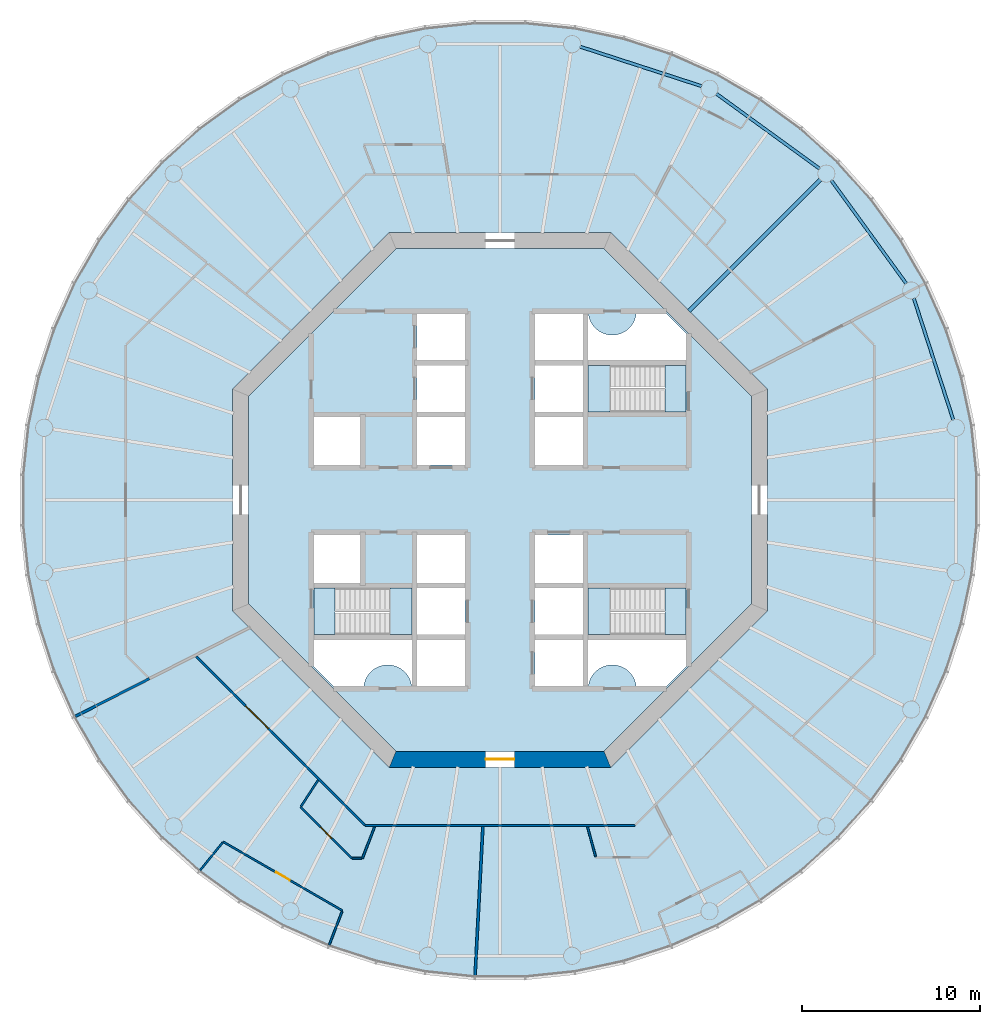
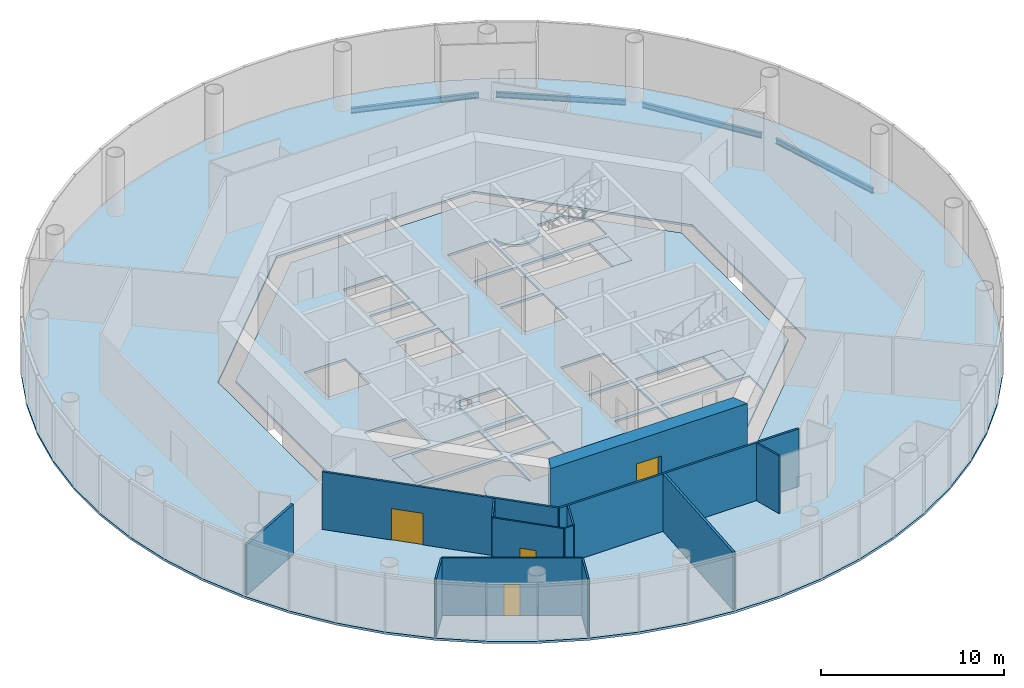
# One storey, part 2 of 12: 13 walls, 8 slabs, 5 beams, 4 doors, 4 openings, 3 elements without a shape of their own.
"""IFC4 building model written with IfcOpenShell, lengths in metres."""

from ifc_helpers import new_model, si_unit, direction, frame, frame_2d, origin, origin_2d, place, context, subcontext, project, spatial, polyline, rectangle, i_section, outline, extrude, material, layer, layer_set, material_profile, profile_set, type_object, element, fill, aggregate, save


model = new_model("IFC4")

# Units and contexts
model_context = context("Model", 3, precision=1e-05, world=origin(), true_north=direction((0.0, 1.0)))
body_context = subcontext(model_context, "Body", "Model", "MODEL_VIEW")
ifc_project = project(units=[si_unit("LENGTHUNIT", "METRE"), si_unit("AREAUNIT", "SQUARE_METRE"), si_unit("VOLUMEUNIT", "CUBIC_METRE"), si_unit("PLANEANGLEUNIT", "RADIAN"), si_unit("MASSUNIT", "GRAM", prefix="KILO")], contexts=[model_context])

# Site, building, storey
site_placement = place(None, origin())
site = spatial("IfcSite", under=ifc_project, at=site_placement, CompositionType="ELEMENT")
building_placement = place(site_placement, origin())
building = spatial("IfcBuilding", under=site, at=building_placement, Name="Entoto Ring Tower", CompositionType="ELEMENT")
storey_placement = place(building_placement, frame((0.0, 0.0, 254.0)))
storey = spatial("IfcBuildingStorey", under=building, at=storey_placement, Name="L58", CompositionType="ELEMENT", Elevation=254.0)

# Beams
ifc_material_1 = material(Name="Steel S355", Category="steel")
ifc_material_profile_1 = material_profile(ifc_material_1, i_section(OverallWidth=0.169921875, OverallDepth=0.360107421875, WebThickness=0.008056640625, FlangeThickness=0.0126953125, FilletRadius=0.01806640625, at=origin_2d()), Name="IPE 360")
ifc_profile_set_1 = profile_set([ifc_material_profile_1], Name="Steel S355")
beam_type_1 = type_object("IfcBeamType", Name="Edge beam IPE 360", PredefinedType="SPANDREL", material=ifc_profile_set_1)
beam_1_placement = place(storey_placement, frame((115.43505859375, 84.501220703125, -0.330078125), z_axis=(-0.309015118354, 0.951057125849, 0.0), x_axis=(-0.951057125849, -0.309015118354, 0.0)))
element("IfcBeam", 1, at=beam_1_placement, inside=storey, type_object=beam_type_1, Name="Edge beam L58 01", PredefinedType="SPANDREL", context=body_context, shape_type="SweptSolid", body=[
    extrude(i_section(OverallWidth=0.169921875, OverallDepth=0.360107421875, WebThickness=0.008056640625, FlangeThickness=0.0126953125, FilletRadius=0.01806640625, at=origin_2d()), origin(), (0.0, 0.0, 1.0), 7.157958984375),
])
for number, where, z_axis, x_axis, name in (
    (2, (112.79931640625, 92.140625, -0.330078125), (-0.587794432314, 0.809010324619, 0.0), (-0.809010324619, -0.587794432314, 0.0), "Edge beam L58 02"),
    (3, (107.931640625, 98.591796875, -0.330078125), (-0.809010324619, 0.587794432314, 0.0), (-0.587794432314, -0.809010324619, 0.0), "Edge beam L58 03"),
):
    element("IfcBeam", number, at=place(storey_placement, frame(where, z_axis=z_axis, x_axis=x_axis)), inside=storey, type_object=beam_type_1, Name=name, PredefinedType="SPANDREL", context=body_context, shape_type="SweptSolid", body=[
        extrude(i_section(OverallWidth=0.169921875, OverallDepth=0.360107421875, WebThickness=0.008056640625, FlangeThickness=0.0126953125, FilletRadius=0.01806640625, at=origin_2d()), origin(), (0.0, 0.0, 1.0), 7.158203125),
    ])
beam_2_placement = place(storey_placement, frame((101.308837890625, 103.22314453125, -0.330078125), z_axis=(-0.951057125849, 0.309015118354, 0.0), x_axis=(-0.309015118354, -0.951057125849, 0.0)))
element("IfcBeam", 4, at=beam_2_placement, inside=storey, type_object=beam_type_1, Name="Edge beam L58 04", PredefinedType="SPANDREL", context=body_context, shape_type="SweptSolid", body=[
    extrude(i_section(OverallWidth=0.169921875, OverallDepth=0.360107421875, WebThickness=0.008056640625, FlangeThickness=0.0126953125, FilletRadius=0.01806640625, at=origin_2d()), origin(), (0.0, 0.0, 1.0), 7.157958984375),
])
ifc_material_2 = material(Name="Steel S355", Category="steel")
ifc_material_profile_2 = material_profile(ifc_material_2, i_section(OverallWidth=0.199951171875, OverallDepth=0.5, WebThickness=0.01025390625, FlangeThickness=0.01611328125, FilletRadius=0.02099609375, at=origin_2d()), Name="IPE 500")
ifc_profile_set_2 = profile_set([ifc_material_profile_2], Name="Steel S355")
beam_type_2 = type_object("IfcBeamType", Name="Primary floor beam IPE 500", PredefinedType="BEAM", material=ifc_profile_set_2)
beam_3_placement = place(storey_placement, frame((100.592529296875, 90.592529296875, -0.39990234375), z_axis=(0.707106781187, 0.707106781187, 0.0), x_axis=(-0.707106781187, 0.707106781187, 0.0)))
element("IfcBeam", 5, at=beam_3_placement, inside=storey, type_object=beam_type_2, Name="Primary L58 R03", PredefinedType="BEAM", context=body_context, shape_type="SweptSolid", body=[
    extrude(i_section(OverallWidth=0.199951171875, OverallDepth=0.5, WebThickness=0.01025390625, FlangeThickness=0.01611328125, FilletRadius=0.02099609375, at=origin_2d()), origin(), (0.0, 0.0, 1.0), 10.4501953125),
])

# Slabs
ifc_material_3 = material(Name="Concrete C30/37", Category="concrete")
ifc_layer_1 = layer(ifc_material_3, 0.14990234375)
ifc_layer_set_1 = layer_set([ifc_layer_1], Name="Concrete C30/37")
slab_type_1 = type_object("IfcSlabType", Name="Composite floor slab 150 mm", PredefinedType="FLOOR", material=ifc_layer_set_1)
slab_1_placement = place(storey_placement, frame((0.0, 0.0, -0.14990234375)))
element("IfcSlab", 6, at=slab_1_placement, inside=storey, type_object=slab_type_1, Name="Floor slab L58", PredefinedType="FLOOR", context=body_context, shape_type="SweptSolid", body=[
    extrude(outline(polyline([(116.56884765625, 84.2080078125), (115.9833984375, 86.962158203125), (115.11328125, 89.64013671875), (113.968017578125, 92.21240234375), (112.560302734375, 94.65087890625), (110.9052734375, 96.9287109375), (109.021240234375, 99.021240234375), (106.9287109375, 100.9052734375), (104.65087890625, 102.560302734375), (102.21240234375, 103.968017578125), (99.64013671875, 105.11328125), (96.962158203125, 105.9833984375), (94.2080078125, 106.56884765625), (91.407958984375, 106.863037109375), (88.592041015625, 106.863037109375), (85.7919921875, 106.56884765625), (83.037841796875, 105.9833984375), (80.35986328125, 105.11328125), (77.78759765625, 103.968017578125), (75.34912109375, 102.560302734375), (73.0712890625, 100.9052734375), (70.978759765625, 99.021240234375), (69.0947265625, 96.9287109375), (67.439697265625, 94.65087890625), (66.031982421875, 92.21240234375), (64.88671875, 89.64013671875), (64.0166015625, 86.962158203125), (63.43115234375, 84.2080078125), (63.136962890625, 81.407958984375), (63.136962890625, 78.592041015625), (63.43115234375, 75.7919921875), (64.0166015625, 73.037841796875), (64.88671875, 70.35986328125), (66.031982421875, 67.78759765625), (67.439697265625, 65.34912109375), (69.0947265625, 63.0712890625), (70.978759765625, 60.978759765625), (73.0712890625, 59.0947265625), (75.34912109375, 57.439697265625), (77.78759765625, 56.031982421875), (80.35986328125, 54.88671875), (83.037841796875, 54.0166015625), (85.7919921875, 53.43115234375), (88.592041015625, 53.136962890625), (91.407958984375, 53.136962890625), (94.2080078125, 53.43115234375), (96.962158203125, 54.0166015625), (99.64013671875, 54.88671875), (102.21240234375, 56.031982421875), (104.65087890625, 57.439697265625), (106.9287109375, 59.0947265625), (109.021240234375, 60.978759765625), (110.9052734375, 63.0712890625), (112.560302734375, 65.34912109375), (113.968017578125, 67.78759765625), (115.11328125, 70.35986328125), (115.9833984375, 73.037841796875), (116.56884765625, 75.7919921875), (116.863037109375, 78.592041015625), (116.863037109375, 81.407958984375), (116.56884765625, 84.2080078125)]), holes=[polyline([(105.0, 73.786865234375), (105.0, 86.213134765625), (96.213134765625, 95.0), (83.786865234375, 95.0), (75.0, 86.213134765625), (75.0, 73.786865234375), (83.786865234375, 65.0), (96.213134765625, 65.0), (105.0, 73.786865234375)])]), origin(), (0.0, 0.0, 1.0), 0.14990234375),
])
ifc_material_4 = material(Name="Concrete C40/50", Category="concrete")
ifc_layer_2 = layer(ifc_material_4, 0.14990234375)
ifc_layer_set_2 = layer_set([ifc_layer_2], Name="Concrete C40/50")
slab_type_2 = type_object("IfcSlabType", Name="Core floor slab 150 mm reinforced concrete C40/50", PredefinedType="FLOOR", material=ifc_layer_set_2)
slab_2_placement = place(storey_placement, frame((0.0, 0.0, -0.14990234375)))
element("IfcSlab", 7, at=slab_2_placement, inside=storey, type_object=slab_type_2, Name="Core floor L58", PredefinedType="FLOOR", context=body_context, shape_type="SweptSolid", body=[
    extrude(outline(polyline([(104.10009765625, 74.15966796875), (104.10009765625, 85.84033203125), (95.84033203125, 94.10009765625), (84.15966796875, 94.10009765625), (75.89990234375, 85.84033203125), (75.89990234375, 74.15966796875), (84.15966796875, 65.89990234375), (95.84033203125, 65.89990234375), (104.10009765625, 74.15966796875)]), holes=[polyline([(100.449951171875, 84.949951171875), (100.449951171875, 87.550048828125), (94.949951171875, 87.550048828125), (94.949951171875, 84.949951171875), (100.449951171875, 84.949951171875)]), polyline([(85.050048828125, 72.449951171875), (85.050048828125, 75.050048828125), (79.550048828125, 75.050048828125), (79.550048828125, 72.449951171875), (85.050048828125, 72.449951171875)]), polyline([(100.449951171875, 72.449951171875), (100.449951171875, 75.050048828125), (94.949951171875, 75.050048828125), (94.949951171875, 72.449951171875), (100.449951171875, 72.449951171875)]), polyline([(91.949951171875, 84.949951171875), (94.64990234375, 84.949951171875), (94.64990234375, 87.550048828125), (91.949951171875, 87.550048828125), (91.949951171875, 84.949951171875)]), polyline([(91.949951171875, 72.449951171875), (94.64990234375, 72.449951171875), (94.64990234375, 75.050048828125), (91.949951171875, 75.050048828125), (91.949951171875, 72.449951171875)]), polyline([(91.949951171875, 69.550048828125), (94.64990234375, 69.550048828125), (94.64990234375, 72.14990234375), (91.949951171875, 72.14990234375), (91.949951171875, 69.550048828125)]), polyline([(85.35009765625, 72.449951171875), (88.050048828125, 72.449951171875), (88.050048828125, 75.050048828125), (85.35009765625, 75.050048828125), (85.35009765625, 72.449951171875)]), polyline([(85.35009765625, 81.949951171875), (88.050048828125, 81.949951171875), (88.050048828125, 84.64990234375), (85.35009765625, 84.64990234375), (85.35009765625, 81.949951171875)]), polyline([(91.949951171875, 75.35009765625), (94.64990234375, 75.35009765625), (94.64990234375, 78.050048828125), (91.949951171875, 78.050048828125), (91.949951171875, 75.35009765625)]), polyline([(79.550048828125, 81.949951171875), (82.14990234375, 81.949951171875), (82.14990234375, 84.64990234375), (79.550048828125, 84.64990234375), (79.550048828125, 81.949951171875)]), polyline([(79.550048828125, 75.35009765625), (82.14990234375, 75.35009765625), (82.14990234375, 78.050048828125), (79.550048828125, 78.050048828125), (79.550048828125, 75.35009765625)]), polyline([(91.949951171875, 87.85009765625), (94.64990234375, 87.85009765625), (94.64990234375, 90.449951171875), (91.949951171875, 90.449951171875), (91.949951171875, 87.85009765625)]), polyline([(85.35009765625, 69.550048828125), (88.050048828125, 69.550048828125), (88.050048828125, 72.14990234375), (85.35009765625, 72.14990234375), (85.35009765625, 69.550048828125)]), polyline([(91.949951171875, 81.949951171875), (94.64990234375, 81.949951171875), (94.64990234375, 84.64990234375), (91.949951171875, 84.64990234375), (91.949951171875, 81.949951171875)]), polyline([(85.35009765625, 75.35009765625), (88.050048828125, 75.35009765625), (88.050048828125, 78.050048828125), (85.35009765625, 78.050048828125), (85.35009765625, 75.35009765625)]), polyline([(85.35009765625, 84.949951171875), (88.050048828125, 84.949951171875), (88.050048828125, 87.550048828125), (85.35009765625, 87.550048828125), (85.35009765625, 84.949951171875)]), polyline([(85.35009765625, 87.85009765625), (88.050048828125, 87.85009765625), (88.050048828125, 90.449951171875), (85.35009765625, 90.449951171875), (85.35009765625, 87.85009765625)]), polyline([(94.89990234375, 90.5), (94.89990234375, 87.800048828125), (100.5, 87.800048828125), (100.5, 89.299072265625), (99.299072265625, 90.5), (97.64501953125, 90.5), (97.6435546875, 90.4677734375), (97.6240234375, 90.336669921875), (97.591796875, 90.2080078125), (97.547119140625, 90.08349609375), (97.490478515625, 89.963623046875), (97.422607421875, 89.85009765625), (97.343505859375, 89.74365234375), (97.254638671875, 89.6455078125), (97.156494140625, 89.556396484375), (97.050048828125, 89.4775390625), (96.936279296875, 89.409423828125), (96.816650390625, 89.352783203125), (96.69189453125, 89.30810546875), (96.5634765625, 89.27587890625), (96.432373046875, 89.256591796875), (96.300048828125, 89.25), (96.167724609375, 89.256591796875), (96.03662109375, 89.27587890625), (95.908203125, 89.30810546875), (95.783447265625, 89.352783203125), (95.66357421875, 89.409423828125), (95.550048828125, 89.4775390625), (95.443603515625, 89.556396484375), (95.345458984375, 89.6455078125), (95.25634765625, 89.74365234375), (95.177490234375, 89.85009765625), (95.109375, 89.963623046875), (95.052734375, 90.08349609375), (95.008056640625, 90.2080078125), (94.975830078125, 90.336669921875), (94.95654296875, 90.4677734375), (94.954833984375, 90.5), (94.89990234375, 90.5)]), polyline([(79.5, 70.700927734375), (80.700927734375, 69.5), (82.35498046875, 69.5), (82.3564453125, 69.5322265625), (82.3759765625, 69.663330078125), (82.408203125, 69.7919921875), (82.452880859375, 69.91650390625), (82.509521484375, 70.036376953125), (82.577392578125, 70.14990234375), (82.656494140625, 70.25634765625), (82.745361328125, 70.3544921875), (82.843505859375, 70.443603515625), (82.949951171875, 70.5224609375), (83.063720703125, 70.590576171875), (83.183349609375, 70.647216796875), (83.30810546875, 70.69189453125), (83.4365234375, 70.72412109375), (83.567626953125, 70.743408203125), (83.699951171875, 70.75), (83.832275390625, 70.743408203125), (83.96337890625, 70.72412109375), (84.091796875, 70.69189453125), (84.216552734375, 70.647216796875), (84.33642578125, 70.590576171875), (84.449951171875, 70.5224609375), (84.556396484375, 70.443603515625), (84.654541015625, 70.3544921875), (84.74365234375, 70.25634765625), (84.822509765625, 70.14990234375), (84.890625, 70.036376953125), (84.947265625, 69.91650390625), (84.991943359375, 69.7919921875), (85.024169921875, 69.663330078125), (85.04345703125, 69.5322265625), (85.045166015625, 69.5), (85.10009765625, 69.5), (85.10009765625, 72.199951171875), (79.5, 72.199951171875), (79.5, 70.700927734375)]), polyline([(97.64501953125, 69.5), (99.299072265625, 69.5), (100.5, 70.700927734375), (100.5, 72.199951171875), (94.89990234375, 72.199951171875), (94.89990234375, 69.5), (94.954833984375, 69.5), (94.95654296875, 69.5322265625), (94.975830078125, 69.663330078125), (95.008056640625, 69.7919921875), (95.052734375, 69.91650390625), (95.109375, 70.036376953125), (95.177490234375, 70.14990234375), (95.25634765625, 70.25634765625), (95.345458984375, 70.3544921875), (95.443603515625, 70.443603515625), (95.550048828125, 70.5224609375), (95.66357421875, 70.590576171875), (95.783447265625, 70.647216796875), (95.908203125, 70.69189453125), (96.03662109375, 70.72412109375), (96.167724609375, 70.743408203125), (96.300048828125, 70.75), (96.432373046875, 70.743408203125), (96.5634765625, 70.72412109375), (96.69189453125, 70.69189453125), (96.816650390625, 70.647216796875), (96.936279296875, 70.590576171875), (97.050048828125, 70.5224609375), (97.156494140625, 70.443603515625), (97.254638671875, 70.3544921875), (97.343505859375, 70.25634765625), (97.422607421875, 70.14990234375), (97.490478515625, 70.036376953125), (97.547119140625, 69.91650390625), (97.591796875, 69.7919921875), (97.6240234375, 69.663330078125), (97.6435546875, 69.5322265625), (97.64501953125, 69.5)])]), origin(), (0.0, 0.0, 1.0), 0.14990234375),
])

# Stair, slabs
ifc_material_5 = material(Name="Concrete C40/50", Category="concrete")
stair_type = type_object("IfcStairType", Name="Exit stair 1200 mm dog-leg reinforced concrete", PredefinedType="HALF_TURN_STAIR", material=ifc_material_5)
stair_1_placement = place(storey_placement, origin())
stair_1 = element("IfcStair", 8, at=stair_1_placement, inside=storey, type_object=stair_type, Name="Exit stair 1", PredefinedType="HALF_TURN_STAIR")
ifc_material_6 = material(Name="Concrete C40/50", Category="concrete")
ifc_layer_3 = layer(ifc_material_6, 0.199951171875)
ifc_layer_set_3 = layer_set([ifc_layer_3], Name="Concrete C40/50")
slab_type_3 = type_object("IfcSlabType", Name="Stair landing 200 mm reinforced concrete", PredefinedType="LANDING", material=ifc_layer_set_3)
slab_3_placement = place(storey_placement, frame((0.0, 0.0, -0.199951171875)))
slab_3 = element("IfcSlab", 9, at=slab_3_placement, type_object=slab_type_3, Name="ST1 landing 1", PredefinedType="LANDING", context=body_context, shape_type="SweptSolid", body=[
    extrude(outline(polyline([(100.449951171875, 84.949951171875), (100.449951171875, 87.550048828125), (99.25, 87.550048828125), (99.25, 84.949951171875), (100.449951171875, 84.949951171875)])), origin(), (0.0, 0.0, 1.0), 0.199951171875),
])
slab_4_placement = place(storey_placement, frame((0.0, 0.0, 1.800048828125)))
slab_4 = element("IfcSlab", 10, at=slab_4_placement, type_object=slab_type_3, Name="ST1 landing 2", PredefinedType="LANDING", context=body_context, shape_type="SweptSolid", body=[
    extrude(outline(polyline([(94.949951171875, 84.949951171875), (96.169921875, 84.949951171875), (96.169921875, 87.550048828125), (94.949951171875, 87.550048828125), (94.949951171875, 84.949951171875)])), origin(), (0.0, 0.0, 1.0), 0.199951171875),
])
aggregate(stair_1, [slab_3, slab_4])

stair_2_placement = place(storey_placement, origin())
stair_2 = element("IfcStair", 11, at=stair_2_placement, inside=storey, type_object=stair_type, Name="Exit stair 2", PredefinedType="HALF_TURN_STAIR")
slab_5_placement = place(storey_placement, frame((0.0, 0.0, -0.199951171875)))
slab_5 = element("IfcSlab", 12, at=slab_5_placement, type_object=slab_type_3, Name="ST2 landing 1", PredefinedType="LANDING", context=body_context, shape_type="SweptSolid", body=[
    extrude(outline(polyline([(80.75, 72.449951171875), (80.75, 75.050048828125), (79.550048828125, 75.050048828125), (79.550048828125, 72.449951171875), (80.75, 72.449951171875)])), origin(), (0.0, 0.0, 1.0), 0.199951171875),
])
slab_6_placement = place(storey_placement, frame((0.0, 0.0, 1.800048828125)))
slab_6 = element("IfcSlab", 13, at=slab_6_placement, type_object=slab_type_3, Name="ST2 landing 2", PredefinedType="LANDING", context=body_context, shape_type="SweptSolid", body=[
    extrude(outline(polyline([(83.830078125, 72.449951171875), (85.050048828125, 72.449951171875), (85.050048828125, 75.050048828125), (83.830078125, 75.050048828125), (83.830078125, 72.449951171875)])), origin(), (0.0, 0.0, 1.0), 0.199951171875),
])
aggregate(stair_2, [slab_5, slab_6])

stair_3_placement = place(storey_placement, origin())
stair_3 = element("IfcStair", 14, at=stair_3_placement, inside=storey, type_object=stair_type, Name="Exit stair 3", PredefinedType="HALF_TURN_STAIR")
slab_7_placement = place(storey_placement, frame((0.0, 0.0, -0.199951171875)))
slab_7 = element("IfcSlab", 15, at=slab_7_placement, type_object=slab_type_3, Name="ST3 landing 1", PredefinedType="LANDING", context=body_context, shape_type="SweptSolid", body=[
    extrude(outline(polyline([(100.449951171875, 72.449951171875), (100.449951171875, 75.050048828125), (99.25, 75.050048828125), (99.25, 72.449951171875), (100.449951171875, 72.449951171875)])), origin(), (0.0, 0.0, 1.0), 0.199951171875),
])
slab_8_placement = place(storey_placement, frame((0.0, 0.0, 1.800048828125)))
slab_8 = element("IfcSlab", 16, at=slab_8_placement, type_object=slab_type_3, Name="ST3 landing 2", PredefinedType="LANDING", context=body_context, shape_type="SweptSolid", body=[
    extrude(outline(polyline([(94.949951171875, 72.449951171875), (96.169921875, 72.449951171875), (96.169921875, 75.050048828125), (94.949951171875, 75.050048828125), (94.949951171875, 72.449951171875)])), origin(), (0.0, 0.0, 1.0), 0.199951171875),
])
aggregate(stair_3, [slab_7, slab_8])

# Wall, opening, door
ifc_material_7 = material(Name="Concrete C50/60", Category="concrete")
ifc_layer_4 = layer(ifc_material_7, 0.89990234375)
ifc_layer_set_4 = layer_set([ifc_layer_4], Name="Concrete C50/60")
wall_type_1 = type_object("IfcWallType", Name="Core shear wall 900 mm reinforced concrete C50/60", PredefinedType="SHEAR", material=ifc_layer_set_4)
wall_1_placement = place(storey_placement, frame((83.97314453125, 65.449951171875, 0.0), z_axis=(0.0, 0.0, 1.0), x_axis=(1.0, 0.0, 0.0)))
wall_1 = element("IfcWall", 17, at=wall_1_placement, inside=storey, type_object=wall_type_1, Name="wall-L58-core-6", PredefinedType="SHEAR", context=body_context, shape_type="SweptSolid", body=[
    extrude(outline(polyline([(-0.186279296875, -0.449951171875), (12.239990234375, -0.449951171875), (11.867431640625, 0.449951171875), (0.186279296875, 0.449951171875), (-0.186279296875, -0.449951171875)])), origin(), (0.0, 0.0, 1.0), 4.0),
])
opening_1_placement = place(wall_1_placement, frame((5.226806640625, 0.0, 0.0)))
opening_1 = element("IfcOpeningElement", 18, at=opening_1_placement, cuts=wall_1, Name="Opening K-04", PredefinedType="OPENING", context=body_context, shape_type="SweptSolid", body=[
    extrude(rectangle(XDim=1.60009765625, YDim=2.39990234375, at=frame_2d((0.800048828125, 1.199951171875))), frame((0.0, 0.4599609375, 0.0), z_axis=(0.0, -1.0, 0.0), x_axis=(1.0, 0.0, 0.0)), (0.0, 0.0, 1.0), 0.919921875),
])
ifc_material_8 = material(Name="Steel door leaf, fire rated", Category="steel")
ifc_layer_5 = layer(ifc_material_8, 0.050048828125)
ifc_layer_set_5 = layer_set([ifc_layer_5], Name="Steel door leaf, fire rated")
door_type_1 = type_object("IfcDoorType", Name="Entrance door FD60 1600 x 2400 double leaf", OperationType="DOUBLE_DOOR_SINGLE_SWING", PredefinedType="DOOR", material=ifc_layer_set_5)
door_1_placement = place(opening_1_placement, origin())
door_1 = element("IfcDoor", 19, at=door_1_placement, inside=storey, type_object=door_type_1, Name="Entrance door K-04", OperationType="DOUBLE_DOOR_SINGLE_SWING", OverallHeight=2.39990234375, OverallWidth=1.60009765625, PredefinedType="DOOR", context=body_context, shape_type="SweptSolid", body=[
    extrude(rectangle(XDim=1.60009765625, YDim=2.39990234375, at=frame_2d((0.800048828125, 1.199951171875))), frame((0.0, 0.02490234375, 0.0), z_axis=(0.0, -1.0, 0.0), x_axis=(1.0, 0.0, 0.0)), (0.0, 0.0, 1.0), 0.050048828125),
])
fill(opening_1, door_1)

# Wall
ifc_material_9 = material(Name="Fire-resisting plasterboard on steel studs", Category="steel")
ifc_layer_6 = layer(ifc_material_9, 0.125)
ifc_layer_set_6 = layer_set([ifc_layer_6], Name="Fire-resisting plasterboard on steel studs")
wall_type_2 = type_object("IfcWallType", Name="Corridor wall 125 mm one-hour plasterboard on steel studs", PredefinedType="PARTITIONING", material=ifc_layer_set_6)
wall_2_placement = place(storey_placement, frame((82.435302734375, 61.737548828125, 0.0), z_axis=(0.0, 0.0, 1.0), x_axis=(1.0, 0.0, 0.0)))
element("IfcWall", 20, at=wall_2_placement, inside=storey, type_object=wall_type_2, Name="partition-L58-003", PredefinedType="PARTITIONING", context=body_context, shape_type="SweptSolid", body=[
    extrude(rectangle(XDim=15.12939453125, YDim=0.125, at=frame_2d((7.564697265625, 0.0))), origin(), (0.0, 0.0, 1.0), 3.85009765625),
])

# Wall, opening, door
wall_3_placement = place(storey_placement, frame((82.404296875, 61.7685546875, 0.0), z_axis=(0.0, 0.0, 1.0), x_axis=(-0.707097649982, 0.707115912273, 0.0)))
wall_3 = element("IfcWall", 21, at=wall_3_placement, inside=storey, type_object=wall_type_2, Name="partition-L58-005", PredefinedType="PARTITIONING", context=body_context, shape_type="SweptSolid", body=[
    extrude(rectangle(XDim=13.36865234375, YDim=0.125, at=frame_2d((6.684326171875, 0.0))), origin(), (0.0, 0.0, 1.0), 3.85009765625),
])
opening_2_placement = place(wall_3_placement, frame((7.646484375, 0.0, 0.0)))
opening_2 = element("IfcOpeningElement", 22, at=opening_2_placement, cuts=wall_3, Name="Opening A25-D08", PredefinedType="OPENING", context=body_context, shape_type="SweptSolid", body=[
    extrude(rectangle(XDim=1.800048828125, YDim=2.10009765625, at=frame_2d((0.89990234375, 1.050048828125))), frame((0.0, 0.072509765625, 0.0), z_axis=(0.0, -1.0, 0.0), x_axis=(1.0, 0.0, 0.0)), (0.0, 0.0, 1.0), 0.14501953125),
])
ifc_material_10 = material(Name="Fire-resisting timber door set", Category="wood")
door_type_2 = type_object("IfcDoorType", Name="Door 1800 x 2100 double leaf FD30S fire door", OperationType="DOUBLE_DOOR_SINGLE_SWING", PredefinedType="DOOR", material=ifc_material_10)
door_2_placement = place(opening_2_placement, origin())
door_2 = element("IfcDoor", 23, at=door_2_placement, inside=storey, type_object=door_type_2, Name="Door A25-D08", OperationType="DOUBLE_DOOR_SINGLE_SWING", OverallHeight=2.10009765625, OverallWidth=1.800048828125, PredefinedType="DOOR", context=body_context, shape_type="SweptSolid", body=[
    extrude(rectangle(XDim=1.800048828125, YDim=2.10009765625, at=frame_2d((0.89990234375, 1.050048828125))), frame((0.0, 0.02490234375, 0.0), z_axis=(0.0, -1.0, 0.0), x_axis=(1.0, 0.0, 0.0)), (0.0, 0.0, 1.0), 0.050048828125),
])
fill(opening_2, door_2)

ifc_material_11 = material(Name="Plasterboard on steel studs", Category="steel")
ifc_layer_7 = layer(ifc_material_11, 0.10009765625)
ifc_layer_set_7 = layer_set([ifc_layer_7], Name="Plasterboard on steel studs")
wall_type_3 = type_object("IfcWallType", Name="Partition 100 mm plasterboard on steel studs", PredefinedType="PARTITIONING", material=ifc_layer_set_7)
wall_4_placement = place(storey_placement, frame((81.155517578125, 56.959228515625, 0.0), z_axis=(0.0, 0.0, 1.0), x_axis=(-0.866020254168, 0.500008919292, 0.0)))
wall_4 = element("IfcWall", 24, at=wall_4_placement, inside=storey, type_object=wall_type_3, Name="partition-L58-022", PredefinedType="PARTITIONING", context=body_context, shape_type="SweptSolid", body=[
    extrude(rectangle(XDim=7.721435546875, YDim=0.10009765625, at=frame_2d((3.86083984375, 0.0))), origin(), (0.0, 0.0, 1.0), 3.85009765625),
])
opening_3_placement = place(wall_4_placement, frame((3.410888671875, 0.0, 0.0)))
opening_3 = element("IfcOpeningElement", 25, at=opening_3_placement, cuts=wall_4, Name="Opening A25-D10", PredefinedType="OPENING", context=body_context, shape_type="SweptSolid", body=[
    extrude(rectangle(XDim=0.89990234375, YDim=2.10009765625, at=frame_2d((0.449951171875, 1.050048828125))), frame((0.0, 0.06005859375, 0.0), z_axis=(0.0, -1.0, 0.0), x_axis=(1.0, 0.0, 0.0)), (0.0, 0.0, 1.0), 0.1201171875),
])
ifc_material_12 = material(Name="Veneered timber door leaf in timber frame", Category="wood")
door_type_3 = type_object("IfcDoorType", Name="Door 900 x 2100 single leaf timber veneer", OperationType="NOTDEFINED", PredefinedType="DOOR", material=ifc_material_12)
door_3_placement = place(opening_3_placement, origin())
door_3 = element("IfcDoor", 26, at=door_3_placement, inside=storey, type_object=door_type_3, Name="Door A25-D10", OperationType="SINGLE_SWING_LEFT", OverallHeight=2.10009765625, OverallWidth=0.89990234375, PredefinedType="DOOR", context=body_context, shape_type="SweptSolid", body=[
    extrude(rectangle(XDim=0.89990234375, YDim=2.10009765625, at=frame_2d((0.449951171875, 1.050048828125))), frame((0.0, 0.02490234375, 0.0), z_axis=(0.0, -1.0, 0.0), x_axis=(1.0, 0.0, 0.0)), (0.0, 0.0, 1.0), 0.050048828125),
])
fill(opening_3, door_3)

wall_5_placement = place(storey_placement, frame((81.67333984375, 59.8974609375, 0.0), z_axis=(0.0, 0.0, 1.0), x_axis=(-0.707106781187, 0.707106781187, 0.0)))
wall_5 = element("IfcWall", 27, at=wall_5_placement, inside=storey, type_object=wall_type_3, Name="partition-L58-027", PredefinedType="PARTITIONING", context=body_context, shape_type="SweptSolid", body=[
    extrude(rectangle(XDim=4.0537109375, YDim=0.10009765625, at=frame_2d((2.02685546875, 0.0))), origin(), (0.0, 0.0, 1.0), 3.85009765625),
])
opening_4_placement = place(wall_5_placement, frame((1.576904296875, 0.0, 0.0)))
opening_4 = element("IfcOpeningElement", 28, at=opening_4_placement, cuts=wall_5, Name="Opening A25-D09", PredefinedType="OPENING", context=body_context, shape_type="SweptSolid", body=[
    extrude(rectangle(XDim=0.89990234375, YDim=2.10009765625, at=frame_2d((0.449951171875, 1.050048828125))), frame((0.0, 0.06005859375, 0.0), z_axis=(0.0, -1.0, 0.0), x_axis=(1.0, 0.0, 0.0)), (0.0, 0.0, 1.0), 0.1201171875),
])
door_4_placement = place(opening_4_placement, frame((0.89990234375, 0.0, 0.0), z_axis=(0.0, 0.0, 1.0), x_axis=(-1.0, 0.0, 0.0)))
door_4 = element("IfcDoor", 29, at=door_4_placement, inside=storey, type_object=door_type_3, Name="Door A25-D09", OperationType="SINGLE_SWING_LEFT", OverallHeight=2.10009765625, OverallWidth=0.89990234375, PredefinedType="DOOR", context=body_context, shape_type="SweptSolid", body=[
    extrude(rectangle(XDim=0.89990234375, YDim=2.10009765625, at=frame_2d((0.449951171875, 1.050048828125))), frame((0.0, 0.02490234375, 0.0), z_axis=(0.0, -1.0, 0.0), x_axis=(1.0, 0.0, 0.0)), (0.0, 0.0, 1.0), 0.050048828125),
])
fill(opening_4, door_4)

# Walls
wall_6_placement = place(storey_placement, frame((80.417236328125, 55.0361328125, 0.0), z_axis=(0.0, 0.0, 1.0), x_axis=(0.358352422811, 0.933586386504, 0.0)))
element("IfcWall", 30, at=wall_6_placement, inside=storey, type_object=wall_type_3, Name="partition-L58-029", PredefinedType="PARTITIONING", context=body_context, shape_type="SweptSolid", body=[
    extrude(rectangle(XDim=2.010498046875, YDim=0.10009765625, at=frame_2d((1.00537109375, 0.0))), origin(), (0.0, 0.0, 1.0), 3.85009765625),
])
wall_7_placement = place(storey_placement, frame((73.172119140625, 59.218994140625, 0.0), z_axis=(0.0, 0.0, 1.0), x_axis=(0.629215693509, 0.777230732178, 0.0)))
element("IfcWall", 31, at=wall_7_placement, inside=storey, type_object=wall_type_3, Name="partition-L58-030", PredefinedType="PARTITIONING", context=body_context, shape_type="SweptSolid", body=[
    extrude(rectangle(XDim=2.0107421875, YDim=0.10009765625, at=frame_2d((1.00537109375, 0.0))), origin(), (0.0, 0.0, 1.0), 3.85009765625),
])
wall_8_placement = place(storey_placement, frame((82.283447265625, 59.8974609375, 0.0), z_axis=(0.0, 0.0, 1.0), x_axis=(0.358380145155, 0.93357574495, 0.0)))
element("IfcWall", 32, at=wall_8_placement, inside=storey, type_object=wall_type_3, Name="partition-L58-031", PredefinedType="PARTITIONING", context=body_context, shape_type="SweptSolid", body=[
    extrude(rectangle(XDim=1.885009765625, YDim=0.10009765625, at=frame_2d((0.9423828125, 0.0))), origin(), (0.0, 0.0, 1.0), 3.85009765625),
])
wall_9_placement = place(storey_placement, frame((78.83349609375, 62.804931640625, 0.0), z_axis=(0.0, 0.0, 1.0), x_axis=(0.544563574354, 0.838719567846, 0.0)))
element("IfcWall", 33, at=wall_9_placement, inside=storey, type_object=wall_type_3, Name="partition-L58-037", PredefinedType="PARTITIONING", context=body_context, shape_type="SweptSolid", body=[
    extrude(rectangle(XDim=1.7578125, YDim=0.10009765625, at=frame_2d((0.87890625, 0.0))), origin(), (0.0, 0.0, 1.0), 3.85009765625),
])
wall_10_placement = place(storey_placement, frame((95.36328125, 59.98388671875, 0.0), z_axis=(0.0, 0.0, 1.0), x_axis=(-0.258834417317, 0.965921707186, 0.0)))
element("IfcWall", 34, at=wall_10_placement, inside=storey, type_object=wall_type_3, Name="partition-L58-038", PredefinedType="PARTITIONING", context=body_context, shape_type="SweptSolid", body=[
    extrude(rectangle(XDim=1.737548828125, YDim=0.10009765625, at=frame_2d((0.86865234375, 0.0))), origin(), (0.0, 0.0, 1.0), 3.85009765625),
])
wall_11_placement = place(storey_placement, frame((81.70849609375, 59.8974609375, 0.0), z_axis=(0.0, 0.0, 1.0), x_axis=(1.0, 0.0, 0.0)))
element("IfcWall", 35, at=wall_11_placement, inside=storey, type_object=wall_type_3, Name="partition-L58-044", PredefinedType="PARTITIONING", context=body_context, shape_type="SweptSolid", body=[
    extrude(rectangle(XDim=0.5283203125, YDim=0.10009765625, at=frame_2d((0.26416015625, 0.0))), origin(), (0.0, 0.0, 1.0), 3.85009765625),
])
ifc_material_13 = material(Name="Fire-resisting acoustic plasterboard on steel studs", Category="steel")
ifc_layer_8 = layer(ifc_material_13, 0.14990234375)
ifc_layer_set_8 = layer_set([ifc_layer_8], Name="Fire-resisting acoustic plasterboard on steel studs")
wall_type_4 = type_object("IfcWallType", Name="Party wall 150 mm one-hour acoustic plasterboard on steel studs", PredefinedType="PARTITIONING", material=ifc_layer_set_8)
wall_12_placement = place(storey_placement, frame((88.6005859375, 53.296630859375, 0.0), z_axis=(0.0, 0.0, 1.0), x_axis=(0.052315875597, 0.998630586934, 0.0)))
element("IfcWall", 36, at=wall_12_placement, inside=storey, type_object=wall_type_4, Name="partition-L58-017", PredefinedType="PARTITIONING", context=body_context, shape_type="SweptSolid", body=[
    extrude(rectangle(XDim=8.385986328125, YDim=0.14990234375, at=frame_2d((4.19287109375, 0.0))), origin(), (0.0, 0.0, 1.0), 3.85009765625),
])
ifc_material_14 = material(Name="Fire-resisting acoustic plasterboard on steel studs", Category="steel")
ifc_layer_9 = layer(ifc_material_14, 0.14990234375)
ifc_layer_set_9 = layer_set([ifc_layer_9], Name="Fire-resisting acoustic plasterboard on steel studs")
wall_type_5 = type_object("IfcWallType", Name="Party wall 150 mm one-hour acoustic plasterboard on steel studs, 3350 mm high", PredefinedType="PARTITIONING", material=ifc_layer_set_9)
wall_13_placement = place(storey_placement, frame((66.174560546875, 67.8603515625, 0.0), z_axis=(0.0, 0.0, 1.0), x_axis=(0.891005904056, 0.453991716816, 0.0)))
element("IfcWall", 37, at=wall_13_placement, inside=storey, type_object=wall_type_5, Name="partition-L58-021", PredefinedType="PARTITIONING", context=body_context, shape_type="SweptSolid", body=[
    extrude(rectangle(XDim=4.6591796875, YDim=0.14990234375, at=frame_2d((2.32958984375, 0.0))), origin(), (0.0, 0.0, 1.0), 3.35009765625),
])

save(model, "model.ifc")
